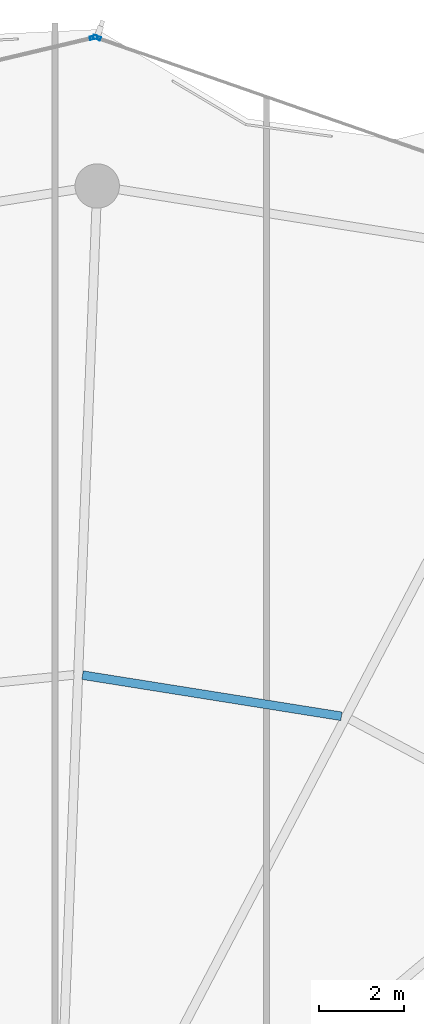
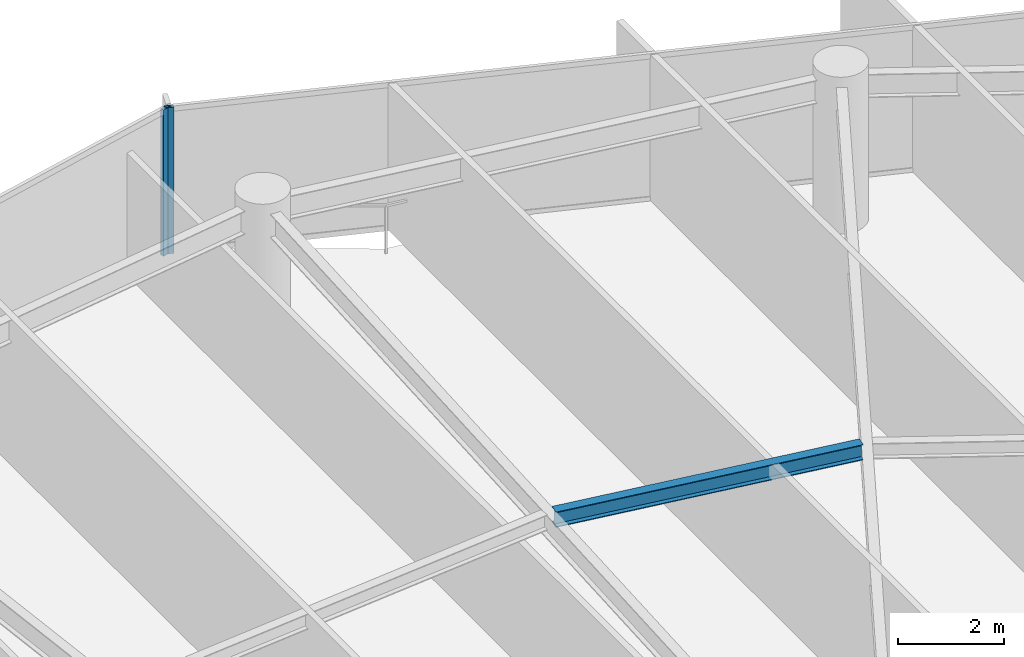
# One storey, part 19 of 28: 2 members, 1 beam, 2 elements without a shape of their own.
"""IFC4 building model written with IfcOpenShell, lengths in metres."""

from ifc_helpers import new_model, si_unit, direction, frame, origin, origin_2d, place, context, subcontext, project, spatial, hollow_rectangle, i_section, extrude, material, layer, layer_set, material_profile, profile_set, type_object, element, aggregate, save


model = new_model("IFC4")

# Units and contexts
model_context = context("Model", 3, precision=1e-05, world=origin(), true_north=direction((0.0, 1.0)))
body_context = subcontext(model_context, "Body", "Model", "MODEL_VIEW")
ifc_project = project(units=[si_unit("LENGTHUNIT", "METRE"), si_unit("AREAUNIT", "SQUARE_METRE"), si_unit("VOLUMEUNIT", "CUBIC_METRE"), si_unit("PLANEANGLEUNIT", "RADIAN"), si_unit("MASSUNIT", "GRAM", prefix="KILO")], contexts=[model_context])

# Site, building, storey
site_placement = place(None, origin())
site = spatial("IfcSite", under=ifc_project, at=site_placement, CompositionType="ELEMENT")
building_placement = place(site_placement, origin())
building = spatial("IfcBuilding", under=site, at=building_placement, Name="Kazevale Care Tower and Concert Hall", CompositionType="ELEMENT")
storey_placement = place(building_placement, frame((0.0, 0.0, 228.0)))
storey = spatial("IfcBuildingStorey", under=building, at=storey_placement, Name="L60", CompositionType="ELEMENT", Elevation=228.0)

# Curtain wall, member
ifc_material_1 = material(Name="Aluminium 6063-T6 and Low-E Glass", Category="aluminium")
ifc_layer_1 = layer(ifc_material_1, 0.179931640625)
ifc_layer_set_1 = layer_set([ifc_layer_1], Name="Aluminium 6063-T6 and Low-E Glass")
curtain_wall_type_1 = type_object("IfcCurtainWallType", Name="Convex Checkerboard Finned Curtain Wall CW-2", PredefinedType="NOTDEFINED", material=ifc_layer_set_1)
curtain_wall_1_placement = place(storey_placement, origin())
curtain_wall_1 = element("IfcCurtainWall", 1, at=curtain_wall_1_placement, inside=storey, type_object=curtain_wall_type_1, Name="cw:L60:f16", PredefinedType="NOTDEFINED")
ifc_material_2 = material(Name="Aluminium 6063-T6", Category="aluminium")
ifc_material_profile_1 = material_profile(ifc_material_2, hollow_rectangle(XDim=0.080078125, YDim=0.179931640625, WallThickness=0.0048828125, at=origin_2d()), Name="ALU80x180x5")
ifc_profile_set_1 = profile_set([ifc_material_profile_1], Name="Aluminium 6063-T6")
member_type_1 = type_object("IfcMemberType", Name="CW-2 Mullion ALU80x180x5", PredefinedType="MULLION", material=ifc_profile_set_1)
member_1_placement = place(storey_placement, frame((44.99169921875, 65.554931640625, 0.0), z_axis=(0.0, 0.0, 1.0), x_axis=(0.328583704497, 0.94447485363, 0.0)))
member_1 = element("IfcMember", 2, at=member_1_placement, type_object=member_type_1, Name="CW-2 mullion 1", PredefinedType="MULLION", context=body_context, shape_type="SweptSolid", body=[
    extrude(hollow_rectangle(XDim=0.080078125, YDim=0.179931640625, WallThickness=0.0048828125, at=origin_2d()), origin(), (0.0, 0.0, 1.0), 3.360107421875),
])
aggregate(curtain_wall_1, [member_1])

ifc_layer_2 = layer(ifc_material_1, 0.179931640625)
ifc_layer_set_2 = layer_set([ifc_layer_2], Name="Aluminium 6063-T6 and Low-E Glass")
curtain_wall_type_2 = type_object("IfcCurtainWallType", Name="Waist & Upper Residential Curtain Wall CW-4", PredefinedType="NOTDEFINED", material=ifc_layer_set_2)
curtain_wall_2_placement = place(storey_placement, origin())
curtain_wall_2 = element("IfcCurtainWall", 3, at=curtain_wall_2_placement, inside=storey, type_object=curtain_wall_type_2, Name="cw:L60:f15", PredefinedType="NOTDEFINED")
ifc_material_profile_2 = material_profile(ifc_material_2, hollow_rectangle(XDim=0.080078125, YDim=0.179931640625, WallThickness=0.0048828125, at=origin_2d()), Name="ALU80x180x5")
ifc_profile_set_2 = profile_set([ifc_material_profile_2], Name="Aluminium 6063-T6")
member_type_2 = type_object("IfcMemberType", Name="CW-4 Mullion ALU80x180x5", PredefinedType="MULLION", material=ifc_profile_set_2)
member_2_placement = place(storey_placement, frame((44.9150390625, 65.558837890625, 0.0), z_axis=(0.0, 0.0, 1.0), x_axis=(-0.230439111929, 0.973086746233, 0.0)))
member_2 = element("IfcMember", 4, at=member_2_placement, type_object=member_type_2, Name="CW-4 mullion 2", PredefinedType="MULLION", context=body_context, shape_type="SweptSolid", body=[
    extrude(hollow_rectangle(XDim=0.080078125, YDim=0.179931640625, WallThickness=0.0048828125, at=origin_2d()), origin(), (0.0, 0.0, 1.0), 3.360107421875),
])
aggregate(curtain_wall_2, [member_2])

# Beam
ifc_material_3 = material(Name="Steel ASTM A572 Gr 50", Category="steel")
ifc_material_profile_3 = material_profile(ifc_material_3, i_section(OverallWidth=0.205078125, OverallDepth=0.35400390625, WebThickness=0.009521484375, FlangeThickness=0.016845703125, at=origin_2d()), Name="W360x79")
ifc_profile_set_3 = profile_set([ifc_material_profile_3], Name="Steel ASTM A572 Gr 50")
beam_type = type_object("IfcBeamType", Name="Secondary Floor Joist W360x79", PredefinedType="JOIST", material=ifc_profile_set_3)
beam_placement = place(storey_placement, frame((50.77099609375, 49.51806640625, 3.18310546875), z_axis=(-0.987586560603, 0.157075731152, 0.0), x_axis=(-0.157075731152, -0.987586560603, 0.0)))
element("IfcBeam", 5, at=beam_placement, inside=storey, type_object=beam_type, Name="beam:L60:joist:04", PredefinedType="JOIST", context=body_context, shape_type="SweptSolid", body=[
    extrude(i_section(OverallWidth=0.205078125, OverallDepth=0.35400390625, WebThickness=0.009521484375, FlangeThickness=0.016845703125, at=origin_2d()), origin(), (0.0, 0.0, 1.0), 6.19384765625),
])

save(model, "model.ifc")
